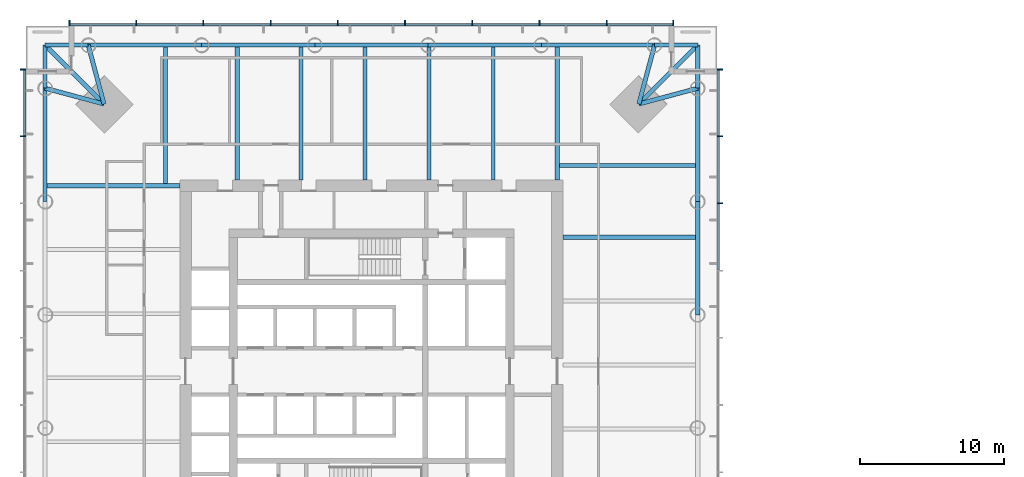
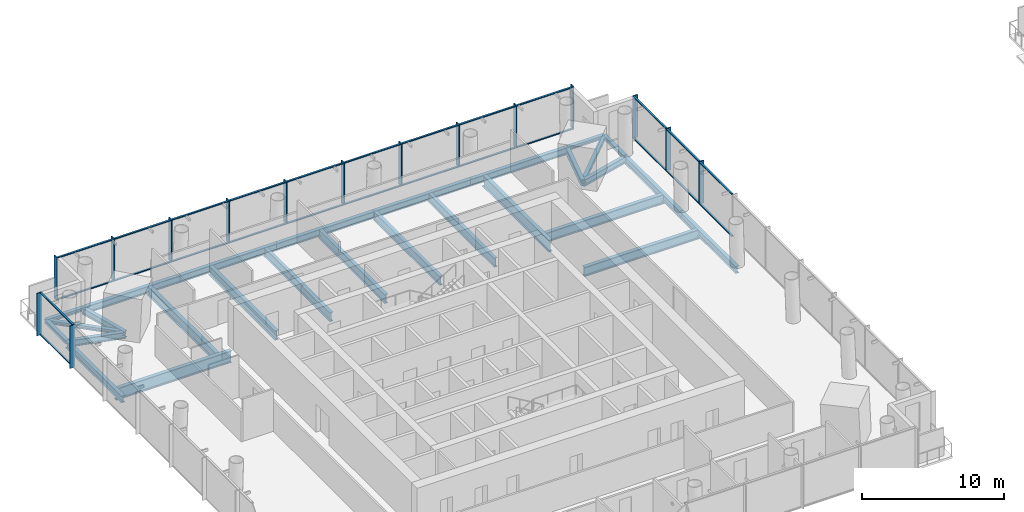
# One storey, part 4 of 22: 41 members, 28 beams, 3 elements without a shape of their own.
"""IFC4 building model written with IfcOpenShell, lengths in metres."""

import ifcopenshell
import ifcopenshell.guid

model = None  # the IFC model being written
_history = None  # IfcOwnerHistory: only IFC2X3 demands one
_inside = {}  # id of a spatial element -> (the spatial element, [elements in it])
_under = {}  # id of a project, library or spatial element -> (it, [spatial elements below it])
_declared = {}  # id of a project -> (the project, [libraries it declares])
_typed = {}  # id of a type object -> (the type object, [elements of that type])
_made_of = {}  # id of a material, layer set ... -> (it, [elements and type objects made of it])


def new_model(schema):
    """Start an empty IFC model of exactly this schema.

    Asked for "IFC4X3", IfcOpenShell would pick the latest addendum, in which some entities
    have other attributes; the version numbers below select the first issue.
    IFC2X3 requires an IfcOwnerHistory on every rooted entity: one is made here for all.
    """
    global model, _history
    if schema == "IFC4X3":
        model = ifcopenshell.file(schema_version=(4, 3, 0, 0))
    else:
        model = ifcopenshell.file(schema=schema)
    _inside.clear()
    _under.clear()
    _declared.clear()
    _typed.clear()
    _made_of.clear()
    _history = None
    if model.schema == "IFC2X3":
        org = make("IfcOrganization", Name="unknown")
        user = make(
            "IfcPersonAndOrganization",
            ThePerson=make("IfcPerson", FamilyName="unknown"),
            TheOrganization=org,
        )
        app = make(
            "IfcApplication",
            ApplicationDeveloper=org,
            Version="unknown",
            ApplicationFullName="unknown",
            ApplicationIdentifier="unknown",
        )
        _history = make(
            "IfcOwnerHistory",
            OwningUser=user,
            OwningApplication=app,
            ChangeAction="ADDED",
            CreationDate=0,
        )
    return model


def make(cls, **values):
    """One entity of the class cls with the attributes given. An attribute that is None is left unset."""
    return model.create_entity(
        cls, **{name: value for name, value in values.items() if value is not None}
    )


def rooted(cls, **values):
    """An entity with a GlobalId (a new one), such as an element, a storey or a relation."""
    return make(cls, GlobalId=ifcopenshell.guid.new(), OwnerHistory=_history, **values)


def si_unit(unit_type, name, prefix=None):
    """IfcSIUnit, for example si_unit("LENGTHUNIT", "METRE", prefix="MILLI")."""
    return make("IfcSIUnit", UnitType=unit_type, Prefix=prefix, Name=name)


def assignment(units):
    """IfcUnitAssignment: the units of a project."""
    return None if units is None else make("IfcUnitAssignment", Units=units)


def point(xyz):
    """IfcCartesianPoint."""
    return None if xyz is None else make("IfcCartesianPoint", Coordinates=xyz)


def direction(xyz):
    """IfcDirection."""
    return None if xyz is None else make("IfcDirection", DirectionRatios=xyz)


def frame(location, z_axis=None, x_axis=None):
    """IfcAxis2Placement3D, a coordinate frame: its origin and axes. An axis left out is left unset."""
    return make(
        "IfcAxis2Placement3D",
        Location=point(location),
        Axis=direction(z_axis),
        RefDirection=direction(x_axis),
    )


def frame_2d(location, x_axis=None):
    """IfcAxis2Placement2D, a coordinate frame in the plane: its origin and x axis."""
    return make(
        "IfcAxis2Placement2D", Location=point(location), RefDirection=direction(x_axis)
    )


def origin():
    """The frame at (0, 0, 0) with its axes left unset."""
    return frame((0.0, 0.0, 0.0))


def origin_2d():
    """The frame at (0, 0) in the plane with its x axis left unset."""
    return frame_2d((0.0, 0.0))


def place(relative_to, where):
    """IfcLocalPlacement: puts the frame where relative to a parent placement (None: the world)."""
    return make(
        "IfcLocalPlacement", PlacementRelTo=relative_to, RelativePlacement=where
    )


def context(
    kind, dimensions, precision=None, world=None, true_north=None, identifier=None
):
    """IfcGeometricRepresentationContext, for example the 3D "Model" context."""
    return make(
        "IfcGeometricRepresentationContext",
        ContextIdentifier=identifier,
        ContextType=kind,
        CoordinateSpaceDimension=dimensions,
        Precision=precision,
        WorldCoordinateSystem=world,
        TrueNorth=true_north,
    )


def subcontext(parent, identifier, kind, view, scale=None):
    """IfcGeometricRepresentationSubContext, for example "Body" below "Model"."""
    return make(
        "IfcGeometricRepresentationSubContext",
        ContextIdentifier=identifier,
        ContextType=kind,
        ParentContext=parent,
        TargetScale=scale,
        TargetView=view,
    )


def project(units=None, contexts=None):
    """IfcProject with its units and contexts."""
    return rooted(
        "IfcProject",
        Name="project",
        RepresentationContexts=contexts,
        UnitsInContext=assignment(units),
    )


def spatial(cls, under=None, at=None, **own):
    """A site, building, storey or space (cls), placed at a placement, below another one or the project."""
    s = rooted(cls, ObjectPlacement=at, **own)
    if under is not None:
        _under.setdefault(under.id(), (under, []))[1].append(s)
    return s


def profile(cls, at=None, kind="AREA", **sizes):
    """A parametric profile (cls). Its sizes go by their IFC names, for example OverallWidth=200.0."""
    return make(cls, ProfileType=kind, Position=at, **sizes)


def rectangle(**sizes):
    """IfcRectangleProfileDef."""
    return profile("IfcRectangleProfileDef", **sizes)


def i_section(**sizes):
    """IfcIShapeProfileDef."""
    return profile("IfcIShapeProfileDef", **sizes)


def extrude(swept, where, along, depth):
    """IfcExtrudedAreaSolid: the profile swept, set in the frame where, extruded along a direction by depth."""
    return make(
        "IfcExtrudedAreaSolid",
        SweptArea=swept,
        Position=where,
        ExtrudedDirection=direction(along),
        Depth=depth,
    )


def shape(context_of_items, identifier, shape_type, items):
    """IfcShapeRepresentation: the items that make up one representation, for example the "Body"."""
    return make(
        "IfcShapeRepresentation",
        ContextOfItems=context_of_items,
        RepresentationIdentifier=identifier,
        RepresentationType=shape_type,
        Items=items,
    )


def material(Name=None, Category=None):
    """IfcMaterial."""
    return make("IfcMaterial", Name=Name, Category=Category)


def material_profile(
    of_material, cross_section, Name=None, Category=None, Priority=None
):
    """IfcMaterialProfile: a cross section and its material."""
    return make(
        "IfcMaterialProfile",
        Name=Name,
        Material=of_material,
        Profile=cross_section,
        Priority=Priority,
        Category=Category,
    )


def profile_set(profiles, Name=None, composite=None):
    """IfcMaterialProfileSet."""
    return make(
        "IfcMaterialProfileSet",
        Name=Name,
        MaterialProfiles=profiles,
        CompositeProfile=composite,
    )


def made_of(thing, what):
    """Note that an element or type object is made of a material, layer set ...; save() writes the relation."""
    if what is not None:
        _made_of.setdefault(what.id(), (what, []))[1].append(thing)
    return thing


def type_object(cls, material=None, **own):
    """A type object (cls), such as IfcWallType, which elements share."""
    return made_of(rooted(cls, **own), material)


def element(
    cls,
    number,
    at=None,
    inside=None,
    cuts=None,
    type_object=None,
    material=None,
    context=None,
    identifier="Body",
    shape_type=None,
    held_by="IfcProductDefinitionShape",
    body=None,
    shapes=None,
    **own,
):
    """One element of the class cls, such as IfcWall. Its Tag is "e" and its number.

    at: its placement. inside: the storey or other place that contains it. cuts: it is an
    opening in that element (IfcRelVoidsElement). A single representation is given by context,
    identifier, shape_type and body (its items); several are given by shapes. held_by: the class
    of the entity that holds the representations. save() writes the other relations.
    """
    e = rooted(cls, Tag="e%d" % number, ObjectPlacement=at, **own)
    if body is not None:
        shapes = [shape(context, identifier, shape_type, body)]
    if shapes is not None:
        e.Representation = make(held_by, Representations=shapes)
    if inside is not None:
        _inside.setdefault(inside.id(), (inside, []))[1].append(e)
    if cuts is not None:
        rooted(
            "IfcRelVoidsElement", RelatingBuildingElement=cuts, RelatedOpeningElement=e
        )
    if type_object is not None:
        _typed.setdefault(type_object.id(), (type_object, []))[1].append(e)
    return made_of(e, material)


def aggregate(whole, parts):
    """IfcRelAggregates: a whole, such as a stair, and the parts it consists of."""
    return rooted("IfcRelAggregates", RelatingObject=whole, RelatedObjects=parts)


def save(model, path):
    """Write the relations noted so far, then the file.

    IfcRelAggregates (storeys below a building ...), IfcRelContainedInSpatialStructure (elements
    in a storey), IfcRelDefinesByType, IfcRelAssociatesMaterial and IfcRelDeclares: one each for
    every whole, place, type object, material and project.
    """
    for whole, parts in _under.values():
        aggregate(whole, parts)
    for where, things in _inside.values():
        rooted(
            "IfcRelContainedInSpatialStructure",
            RelatedElements=things,
            RelatingStructure=where,
        )
    for kind, things in _typed.values():
        rooted("IfcRelDefinesByType", RelatedObjects=things, RelatingType=kind)
    for what, things in _made_of.values():
        rooted("IfcRelAssociatesMaterial", RelatedObjects=things, RelatingMaterial=what)
    for by, libraries in _declared.values():
        rooted("IfcRelDeclares", RelatingContext=by, RelatedDefinitions=libraries)
    model.write(path)


model = new_model("IFC4")

# Units and contexts
model_context = context("Model", 3, precision=1e-05, world=origin(), true_north=direction((0.0, 1.0)))
body_context = subcontext(model_context, "Body", "Model", "MODEL_VIEW")
ifc_project = project(units=[si_unit("LENGTHUNIT", "METRE"), si_unit("AREAUNIT", "SQUARE_METRE"), si_unit("VOLUMEUNIT", "CUBIC_METRE"), si_unit("PLANEANGLEUNIT", "RADIAN"), si_unit("MASSUNIT", "GRAM", prefix="KILO")], contexts=[model_context])

# Site, building, storey
site_placement = place(None, origin())
site = spatial("IfcSite", under=ifc_project, at=site_placement, CompositionType="ELEMENT")
building_placement = place(site_placement, origin())
building = spatial("IfcBuilding", under=site, at=building_placement, Name="Ostroluk Exchange", CompositionType="ELEMENT")
storey_placement = place(building_placement, frame((0.0, 0.0, 62.800048828125)))
storey = spatial("IfcBuildingStorey", under=building, at=storey_placement, Name="L15", CompositionType="ELEMENT", Elevation=62.800048828125)

# Beams
ifc_material_1 = material(Name="Steel S355", Category="steel")
ifc_material_profile_1 = material_profile(ifc_material_1, i_section(OverallWidth=0.300048828125, OverallDepth=0.300048828125, WebThickness=0.010986328125, FlangeThickness=0.01904296875, FilletRadius=0.027099609375, at=origin_2d()), Name="HEB 300")
ifc_profile_set_1 = profile_set([ifc_material_profile_1], Name="Steel S355")
beam_type_1 = type_object("IfcBeamType", Name="Balcony beam HEB 300", PredefinedType="BEAM", material=ifc_profile_set_1)
for number, where, z_axis, x_axis, name in (
    (1, (67.664306640625, 65.664306640625, -0.330078125), (0.0, 1.0, 0.0), (-1.0, 0.0, 0.0), "T1 east balcony beam a"),
    (2, (64.664306640625, 68.664306640625, -0.330078125), (1.0, 0.0, 0.0), (0.0, 1.0, 0.0), "T1 east balcony beam b"),
):
    element("IfcBeam", number, at=place(storey_placement, frame(where, z_axis=z_axis, x_axis=x_axis)), inside=storey, type_object=beam_type_1, Name=name, PredefinedType="BEAM", context=body_context, shape_type="SweptSolid", body=[
        extrude(i_section(OverallWidth=0.300048828125, OverallDepth=0.300048828125, WebThickness=0.010986328125, FlangeThickness=0.01904296875, FilletRadius=0.027099609375, at=origin_2d()), origin(), (0.0, 0.0, 1.0), 3.0),
    ])
beam_1_placement = place(storey_placement, frame((63.564208984375, 64.564208984375, -0.330078125), z_axis=(0.707106781187, 0.707106781187, 0.0), x_axis=(-0.707106781187, 0.707106781187, 0.0)))
element("IfcBeam", 3, at=beam_1_placement, inside=storey, type_object=beam_type_1, Name="T1 east balcony beam c", PredefinedType="BEAM", context=body_context, shape_type="SweptSolid", body=[
    extrude(i_section(OverallWidth=0.300048828125, OverallDepth=0.300048828125, WebThickness=0.010986328125, FlangeThickness=0.01904296875, FilletRadius=0.027099609375, at=origin_2d()), origin(), (0.0, 0.0, 1.0), 5.79833984375),
])
for number, where, z_axis, x_axis, name in (
    (4, (25.335693359375, 68.664306640625, -0.330078125), (-1.0, 0.0, 0.0), (0.0, -1.0, 0.0), "T1 north balcony beam a"),
    (5, (22.335693359375, 65.664306640625, -0.330078125), (0.0, 1.0, 0.0), (-1.0, 0.0, 0.0), "T1 north balcony beam b"),
):
    element("IfcBeam", number, at=place(storey_placement, frame(where, z_axis=z_axis, x_axis=x_axis)), inside=storey, type_object=beam_type_1, Name=name, PredefinedType="BEAM", context=body_context, shape_type="SweptSolid", body=[
        extrude(i_section(OverallWidth=0.300048828125, OverallDepth=0.300048828125, WebThickness=0.010986328125, FlangeThickness=0.01904296875, FilletRadius=0.027099609375, at=origin_2d()), origin(), (0.0, 0.0, 1.0), 3.0),
    ])
beam_2_placement = place(storey_placement, frame((26.435791015625, 64.564208984375, -0.330078125), z_axis=(-0.707106781187, 0.707106781187, 0.0), x_axis=(-0.707106781187, -0.707106781187, 0.0)))
element("IfcBeam", 6, at=beam_2_placement, inside=storey, type_object=beam_type_1, Name="T1 north balcony beam c", PredefinedType="BEAM", context=body_context, shape_type="SweptSolid", body=[
    extrude(i_section(OverallWidth=0.300048828125, OverallDepth=0.300048828125, WebThickness=0.010986328125, FlangeThickness=0.01904296875, FilletRadius=0.027099609375, at=origin_2d()), origin(), (0.0, 0.0, 1.0), 5.79833984375),
])
ifc_material_2 = material(Name="Steel S355", Category="steel")
ifc_material_profile_2 = material_profile(ifc_material_2, i_section(OverallWidth=0.300048828125, OverallDepth=0.550048828125, WebThickness=0.014892578125, FlangeThickness=0.029052734375, FilletRadius=0.027099609375, at=origin_2d()), Name="HEB 550")
ifc_profile_set_2 = profile_set([ifc_material_profile_2], Name="Steel S355")
beam_type_2 = type_object("IfcBeamType", Name="Corner edge beam HEB 550", PredefinedType="SPANDREL", material=ifc_profile_set_2)
for number, where, z_axis, x_axis, name in (
    (7, (63.564208984375, 64.564208984375, -0.455078125), (0.965838624319, 0.259144268261, 0.0), (-0.259144268261, 0.965838624319, 0.0), "T1 east corner edge beam a"),
    (8, (63.564208984375, 64.564208984375, -0.455078125), (0.259144268261, 0.965838624319, 0.0), (-0.965838624319, 0.259144268261, 0.0), "T1 east corner edge beam b"),
    (9, (26.435791015625, 64.564208984375, -0.455078125), (-0.259144268261, 0.965838624319, 0.0), (-0.965838624319, -0.259144268261, 0.0), "T1 north corner edge beam a"),
    (10, (26.435791015625, 64.564208984375, -0.455078125), (-0.965838624319, 0.259144268261, 0.0), (-0.259144268261, -0.965838624319, 0.0), "T1 north corner edge beam b"),
):
    element("IfcBeam", number, at=place(storey_placement, frame(where, z_axis=z_axis, x_axis=x_axis)), inside=storey, type_object=beam_type_2, Name=name, PredefinedType="SPANDREL", context=body_context, shape_type="SweptSolid", body=[
        extrude(i_section(OverallWidth=0.300048828125, OverallDepth=0.550048828125, WebThickness=0.014892578125, FlangeThickness=0.029052734375, FilletRadius=0.027099609375, at=origin_2d()), origin(), (0.0, 0.0, 1.0), 4.2451171875),
    ])
ifc_material_3 = material(Name="Steel S355", Category="steel")
ifc_material_profile_3 = material_profile(ifc_material_3, i_section(OverallWidth=0.302978515625, OverallDepth=0.81396484375, WebThickness=0.02099609375, FlangeThickness=0.0400390625, FilletRadius=0.030029296875, at=origin_2d()), Name="HEM 800")
ifc_profile_set_3 = profile_set([ifc_material_profile_3], Name="Steel S355")
beam_type_3 = type_object("IfcBeamType", Name="Floor beam HEM 800", PredefinedType="BEAM", material=ifc_profile_set_3)
beam_3_placement = place(storey_placement, frame((58.300048828125, 55.32763671875, -0.587158203125), z_axis=(1.0, 0.0, 0.0), x_axis=(0.0, 1.0, 0.0)))
element("IfcBeam", 11, at=beam_3_placement, inside=storey, type_object=beam_type_3, Name="T1 east floor beam 5", PredefinedType="BEAM", context=body_context, shape_type="SweptSolid", body=[
    extrude(i_section(OverallWidth=0.302978515625, OverallDepth=0.81396484375, WebThickness=0.02099609375, FlangeThickness=0.0400390625, FilletRadius=0.030029296875, at=origin_2d()), origin(), (0.0, 0.0, 1.0), 9.3642578125),
])
beam_4_placement = place(storey_placement, frame((57.89990234375, 60.300048828125, -0.587158203125), z_axis=(1.0, 0.0, 0.0), x_axis=(0.0, 1.0, 0.0)))
element("IfcBeam", 12, at=beam_4_placement, inside=storey, type_object=beam_type_3, Name="T1 east floor beam 6", PredefinedType="BEAM", context=body_context, shape_type="SweptSolid", body=[
    extrude(i_section(OverallWidth=0.302978515625, OverallDepth=0.81396484375, WebThickness=0.02099609375, FlangeThickness=0.0400390625, FilletRadius=0.030029296875, at=origin_2d()), origin(), (0.0, 0.0, 1.0), 9.764404296875),
])
beam_5_placement = place(storey_placement, frame((35.67236328125, 59.300048828125, -0.587158203125), z_axis=(0.0, 1.0, 0.0), x_axis=(-1.0, 0.0, 0.0)))
element("IfcBeam", 13, at=beam_5_placement, inside=storey, type_object=beam_type_3, Name="T1 north floor beam 5", PredefinedType="BEAM", context=body_context, shape_type="SweptSolid", body=[
    extrude(i_section(OverallWidth=0.302978515625, OverallDepth=0.81396484375, WebThickness=0.02099609375, FlangeThickness=0.0400390625, FilletRadius=0.030029296875, at=origin_2d()), origin(), (0.0, 0.0, 1.0), 9.3642578125),
])
beam_6_placement = place(storey_placement, frame((30.699951171875, 58.89990234375, -0.587158203125), z_axis=(0.0, 1.0, 0.0), x_axis=(-1.0, 0.0, 0.0)))
element("IfcBeam", 14, at=beam_6_placement, inside=storey, type_object=beam_type_3, Name="T1 north floor beam 6", PredefinedType="BEAM", context=body_context, shape_type="SweptSolid", body=[
    extrude(i_section(OverallWidth=0.302978515625, OverallDepth=0.81396484375, WebThickness=0.02099609375, FlangeThickness=0.0400390625, FilletRadius=0.030029296875, at=origin_2d()), origin(), (0.0, 0.0, 1.0), 9.764404296875),
])
ifc_material_4 = material(Name="Steel S355", Category="steel")
ifc_material_profile_4 = material_profile(ifc_material_4, i_section(OverallWidth=0.26806640625, OverallDepth=0.77001953125, WebThickness=0.015625, FlangeThickness=0.025390625, FilletRadius=0.01708984375, at=origin_2d()), Name="IPE 750x196")
ifc_profile_set_4 = profile_set([ifc_material_profile_4], Name="Steel S355")
beam_type_4 = type_object("IfcBeamType", Name="Floor beam IPE 750x196", PredefinedType="BEAM", material=ifc_profile_set_4)
for number, where, z_axis, x_axis, name in (
    (15, (53.454345703125, 59.300048828125, -0.56494140625), (0.0, 1.0, 0.0), (-1.0, 0.0, 0.0), "T1 north floor beam 1"),
    (16, (49.009033203125, 59.300048828125, -0.56494140625), (0.0, 1.0, 0.0), (-1.0, 0.0, 0.0), "T1 north floor beam 2"),
    (17, (44.5634765625, 59.300048828125, -0.56494140625), (0.0, 1.0, 0.0), (-1.0, 0.0, 0.0), "T1 north floor beam 3"),
    (18, (40.117919921875, 59.300048828125, -0.56494140625), (0.0, 1.0, 0.0), (-1.0, 0.0, 0.0), "T1 north floor beam 4"),
):
    element("IfcBeam", number, at=place(storey_placement, frame(where, z_axis=z_axis, x_axis=x_axis)), inside=storey, type_object=beam_type_4, Name=name, PredefinedType="BEAM", context=body_context, shape_type="SweptSolid", body=[
        extrude(i_section(OverallWidth=0.26806640625, OverallDepth=0.77001953125, WebThickness=0.015625, FlangeThickness=0.025390625, FilletRadius=0.01708984375, at=origin_2d()), origin(), (0.0, 0.0, 1.0), 9.3642578125),
    ])
ifc_material_5 = material(Name="Steel S355", Category="steel")
ifc_material_profile_5 = material_profile(ifc_material_5, i_section(OverallWidth=0.302001953125, OverallDepth=1.008056640625, WebThickness=0.02099609375, FlangeThickness=0.0400390625, FilletRadius=0.030029296875, at=origin_2d()), Name="HEM 1000")
ifc_profile_set_5 = profile_set([ifc_material_profile_5], Name="Steel S355")
beam_type_5 = type_object("IfcBeamType", Name="Girder HEM 1000", PredefinedType="BEAM", material=ifc_profile_set_5)
for number, where, z_axis, x_axis, name in (
    (19, (57.89990234375, 59.300048828125, -0.68408203125), (0.0, 1.0, 0.0), (-1.0, 0.0, 0.0), "T1 east girder"),
    (20, (31.699951171875, 58.89990234375, -0.68408203125), (-1.0, 0.0, 0.0), (0.0, -1.0, 0.0), "T1 north girder"),
):
    element("IfcBeam", number, at=place(storey_placement, frame(where, z_axis=z_axis, x_axis=x_axis)), inside=storey, type_object=beam_type_5, Name=name, PredefinedType="BEAM", context=body_context, shape_type="SweptSolid", body=[
        extrude(i_section(OverallWidth=0.302001953125, OverallDepth=1.008056640625, WebThickness=0.02099609375, FlangeThickness=0.0400390625, FilletRadius=0.030029296875, at=origin_2d()), origin(), (0.0, 0.0, 1.0), 9.3642578125),
    ])
ifc_material_6 = material(Name="Steel S355", Category="steel")
ifc_material_profile_6 = material_profile(ifc_material_6, i_section(OverallWidth=0.300048828125, OverallDepth=0.60009765625, WebThickness=0.015380859375, FlangeThickness=0.030029296875, FilletRadius=0.027099609375, at=origin_2d()), Name="HEB 600")
ifc_profile_set_6 = profile_set([ifc_material_profile_6], Name="Steel S355")
beam_type_6 = type_object("IfcBeamType", Name="Moment-connected edge beam HEB 600", PredefinedType="SPANDREL", material=ifc_profile_set_6)
for number, where, z_axis, x_axis, name in (
    (21, (67.664306640625, 49.932861328125, -0.47998046875), (0.0, 1.0, 0.0), (-1.0, 0.0, 0.0), "T1 east edge beam 4"),
    (22, (67.664306640625, 57.798583984375, -0.47998046875), (0.0, 1.0, 0.0), (-1.0, 0.0, 0.0), "T1 east edge beam 5"),
    (23, (64.664306640625, 68.664306640625, -0.47998046875), (-1.0, 0.0, 0.0), (0.0, -1.0, 0.0), "T1 north edge beam 1"),
    (24, (56.798583984375, 68.664306640625, -0.47998046875), (-1.0, 0.0, 0.0), (0.0, -1.0, 0.0), "T1 north edge beam 2"),
    (25, (48.932861328125, 68.664306640625, -0.47998046875), (-1.0, 0.0, 0.0), (0.0, -1.0, 0.0), "T1 north edge beam 3"),
    (26, (41.067138671875, 68.664306640625, -0.47998046875), (-1.0, 0.0, 0.0), (0.0, -1.0, 0.0), "T1 north edge beam 4"),
    (27, (33.201416015625, 68.664306640625, -0.47998046875), (-1.0, 0.0, 0.0), (0.0, -1.0, 0.0), "T1 north edge beam 5"),
    (28, (22.335693359375, 65.664306640625, -0.47998046875), (0.0, -1.0, 0.0), (1.0, 0.0, 0.0), "T1 west edge beam 1"),
):
    element("IfcBeam", number, at=place(storey_placement, frame(where, z_axis=z_axis, x_axis=x_axis)), inside=storey, type_object=beam_type_6, Name=name, PredefinedType="SPANDREL", context=body_context, shape_type="SweptSolid", body=[
        extrude(i_section(OverallWidth=0.300048828125, OverallDepth=0.60009765625, WebThickness=0.015380859375, FlangeThickness=0.030029296875, FilletRadius=0.027099609375, at=origin_2d()), origin(), (0.0, 0.0, 1.0), 7.86572265625),
    ])

# Curtain wall, members
ifc_material_7 = material(Name="Laminated clear glass", Category="glass")
curtain_wall_type = type_object("IfcCurtainWallType", Name="Office tower facade", PredefinedType="USERDEFINED", material=ifc_material_7)
curtain_wall_1_placement = place(storey_placement, origin())
curtain_wall_1 = element("IfcCurtainWall", 29, at=curtain_wall_1_placement, inside=storey, type_object=curtain_wall_type, Name="Office tower east facade L15", ObjectType="UNITISED CURTAIN WALL", PredefinedType="USERDEFINED")
ifc_material_8 = material(Name="Aluminium mullion", Category="aluminium")
ifc_material_profile_7 = material_profile(ifc_material_8, rectangle(XDim=0.14990234375, YDim=0.080078125, at=origin_2d()), Name="Sill transom 80 x 150")
ifc_profile_set_7 = profile_set([ifc_material_profile_7], Name="Aluminium mullion")
member_type_1 = type_object("IfcMemberType", Name="Sill transom 80 x 150", PredefinedType="USERDEFINED", material=ifc_profile_set_7)
member_1_placement = place(storey_placement, frame((69.074951171875, 53.0400390625, 0.0400390625), z_axis=(0.0, 1.0, 0.0), x_axis=(-1.0, 0.0, 0.0)))
member_1 = element("IfcMember", 30, at=member_1_placement, type_object=member_type_1, Name="CW-O1 transom 7.1", ObjectType="TRANSOM", PredefinedType="USERDEFINED", context=body_context, shape_type="SweptSolid", body=[
    extrude(rectangle(XDim=0.14990234375, YDim=0.080078125, at=origin_2d()), origin(), (0.0, 0.0, 1.0), 4.586669921875),
])
member_2_placement = place(storey_placement, frame((69.074951171875, 53.0400390625, 3.60986328125), z_axis=(0.0, 1.0, 0.0), x_axis=(-1.0, 0.0, 0.0)))
member_2 = element("IfcMember", 31, at=member_2_placement, type_object=member_type_1, Name="CW-O1 transom 7.2", ObjectType="TRANSOM", PredefinedType="USERDEFINED", context=body_context, shape_type="SweptSolid", body=[
    extrude(rectangle(XDim=0.14990234375, YDim=0.080078125, at=origin_2d()), origin(), (0.0, 0.0, 1.0), 4.586669921875),
])
member_3_placement = place(storey_placement, frame((69.074951171875, 57.706787109375, 0.0400390625), z_axis=(0.0, 1.0, 0.0), x_axis=(-1.0, 0.0, 0.0)))
member_3 = element("IfcMember", 32, at=member_3_placement, type_object=member_type_1, Name="CW-O1 transom 8.1", ObjectType="TRANSOM", PredefinedType="USERDEFINED", context=body_context, shape_type="SweptSolid", body=[
    extrude(rectangle(XDim=0.14990234375, YDim=0.080078125, at=origin_2d()), origin(), (0.0, 0.0, 1.0), 4.58642578125),
])
member_4_placement = place(storey_placement, frame((69.074951171875, 57.706787109375, 3.60986328125), z_axis=(0.0, 1.0, 0.0), x_axis=(-1.0, 0.0, 0.0)))
member_4 = element("IfcMember", 33, at=member_4_placement, type_object=member_type_1, Name="CW-O1 transom 8.2", ObjectType="TRANSOM", PredefinedType="USERDEFINED", context=body_context, shape_type="SweptSolid", body=[
    extrude(rectangle(XDim=0.14990234375, YDim=0.080078125, at=origin_2d()), origin(), (0.0, 0.0, 1.0), 4.58642578125),
])
member_5_placement = place(storey_placement, frame((69.074951171875, 62.373291015625, 0.0400390625), z_axis=(0.0, 1.0, 0.0), x_axis=(-1.0, 0.0, 0.0)))
member_5 = element("IfcMember", 34, at=member_5_placement, type_object=member_type_1, Name="CW-O1 transom 9.1", ObjectType="TRANSOM", PredefinedType="USERDEFINED", context=body_context, shape_type="SweptSolid", body=[
    extrude(rectangle(XDim=0.14990234375, YDim=0.080078125, at=origin_2d()), origin(), (0.0, 0.0, 1.0), 4.546630859375),
])
member_6_placement = place(storey_placement, frame((69.074951171875, 62.373291015625, 3.60986328125), z_axis=(0.0, 1.0, 0.0), x_axis=(-1.0, 0.0, 0.0)))
member_6 = element("IfcMember", 35, at=member_6_placement, type_object=member_type_1, Name="CW-O1 transom 9.2", ObjectType="TRANSOM", PredefinedType="USERDEFINED", context=body_context, shape_type="SweptSolid", body=[
    extrude(rectangle(XDim=0.14990234375, YDim=0.080078125, at=origin_2d()), origin(), (0.0, 0.0, 1.0), 4.546630859375),
])

curtain_wall_2_placement = place(storey_placement, origin())
curtain_wall_2 = element("IfcCurtainWall", 36, at=curtain_wall_2_placement, inside=storey, type_object=curtain_wall_type, Name="Office tower north facade L15", ObjectType="UNITISED CURTAIN WALL", PredefinedType="USERDEFINED")
member_7_placement = place(storey_placement, frame((65.919921875, 70.074951171875, 0.0400390625), z_axis=(-1.0, 0.0, 0.0), x_axis=(0.0, -1.0, 0.0)))
member_7 = element("IfcMember", 37, at=member_7_placement, type_object=member_type_1, Name="CW-O1 transom 1.1", ObjectType="TRANSOM", PredefinedType="USERDEFINED", context=body_context, shape_type="SweptSolid", body=[
    extrude(rectangle(XDim=0.14990234375, YDim=0.080078125, at=origin_2d()), origin(), (0.0, 0.0, 1.0), 4.546630859375),
])
member_8_placement = place(storey_placement, frame((65.919921875, 70.074951171875, 3.60986328125), z_axis=(-1.0, 0.0, 0.0), x_axis=(0.0, -1.0, 0.0)))
member_8 = element("IfcMember", 38, at=member_8_placement, type_object=member_type_1, Name="CW-O1 transom 1.2", ObjectType="TRANSOM", PredefinedType="USERDEFINED", context=body_context, shape_type="SweptSolid", body=[
    extrude(rectangle(XDim=0.14990234375, YDim=0.080078125, at=origin_2d()), origin(), (0.0, 0.0, 1.0), 4.546630859375),
])
member_9_placement = place(storey_placement, frame((61.293212890625, 70.074951171875, 0.0400390625), z_axis=(-1.0, 0.0, 0.0), x_axis=(0.0, -1.0, 0.0)))
member_9 = element("IfcMember", 39, at=member_9_placement, type_object=member_type_1, Name="CW-O1 transom 2.1", ObjectType="TRANSOM", PredefinedType="USERDEFINED", context=body_context, shape_type="SweptSolid", body=[
    extrude(rectangle(XDim=0.14990234375, YDim=0.080078125, at=origin_2d()), origin(), (0.0, 0.0, 1.0), 4.58642578125),
])
member_10_placement = place(storey_placement, frame((61.293212890625, 70.074951171875, 3.60986328125), z_axis=(-1.0, 0.0, 0.0), x_axis=(0.0, -1.0, 0.0)))
member_10 = element("IfcMember", 40, at=member_10_placement, type_object=member_type_1, Name="CW-O1 transom 2.2", ObjectType="TRANSOM", PredefinedType="USERDEFINED", context=body_context, shape_type="SweptSolid", body=[
    extrude(rectangle(XDim=0.14990234375, YDim=0.080078125, at=origin_2d()), origin(), (0.0, 0.0, 1.0), 4.58642578125),
])
member_11_placement = place(storey_placement, frame((56.626708984375, 70.074951171875, 0.0400390625), z_axis=(-1.0, 0.0, 0.0), x_axis=(0.0, -1.0, 0.0)))
member_11 = element("IfcMember", 41, at=member_11_placement, type_object=member_type_1, Name="CW-O1 transom 3.1", ObjectType="TRANSOM", PredefinedType="USERDEFINED", context=body_context, shape_type="SweptSolid", body=[
    extrude(rectangle(XDim=0.14990234375, YDim=0.080078125, at=origin_2d()), origin(), (0.0, 0.0, 1.0), 4.586669921875),
])
member_12_placement = place(storey_placement, frame((56.626708984375, 70.074951171875, 3.60986328125), z_axis=(-1.0, 0.0, 0.0), x_axis=(0.0, -1.0, 0.0)))
member_12 = element("IfcMember", 42, at=member_12_placement, type_object=member_type_1, Name="CW-O1 transom 3.2", ObjectType="TRANSOM", PredefinedType="USERDEFINED", context=body_context, shape_type="SweptSolid", body=[
    extrude(rectangle(XDim=0.14990234375, YDim=0.080078125, at=origin_2d()), origin(), (0.0, 0.0, 1.0), 4.586669921875),
])
member_13_placement = place(storey_placement, frame((51.9599609375, 70.074951171875, 0.0400390625), z_axis=(-1.0, 0.0, 0.0), x_axis=(0.0, -1.0, 0.0)))
member_13 = element("IfcMember", 43, at=member_13_placement, type_object=member_type_1, Name="CW-O1 transom 4.1", ObjectType="TRANSOM", PredefinedType="USERDEFINED", context=body_context, shape_type="SweptSolid", body=[
    extrude(rectangle(XDim=0.14990234375, YDim=0.080078125, at=origin_2d()), origin(), (0.0, 0.0, 1.0), 4.586669921875),
])
member_14_placement = place(storey_placement, frame((51.9599609375, 70.074951171875, 3.60986328125), z_axis=(-1.0, 0.0, 0.0), x_axis=(0.0, -1.0, 0.0)))
member_14 = element("IfcMember", 44, at=member_14_placement, type_object=member_type_1, Name="CW-O1 transom 4.2", ObjectType="TRANSOM", PredefinedType="USERDEFINED", context=body_context, shape_type="SweptSolid", body=[
    extrude(rectangle(XDim=0.14990234375, YDim=0.080078125, at=origin_2d()), origin(), (0.0, 0.0, 1.0), 4.586669921875),
])
member_15_placement = place(storey_placement, frame((47.293212890625, 70.074951171875, 0.0400390625), z_axis=(-1.0, 0.0, 0.0), x_axis=(0.0, -1.0, 0.0)))
member_15 = element("IfcMember", 45, at=member_15_placement, type_object=member_type_1, Name="CW-O1 transom 5.1", ObjectType="TRANSOM", PredefinedType="USERDEFINED", context=body_context, shape_type="SweptSolid", body=[
    extrude(rectangle(XDim=0.14990234375, YDim=0.080078125, at=origin_2d()), origin(), (0.0, 0.0, 1.0), 4.58642578125),
])
member_16_placement = place(storey_placement, frame((47.293212890625, 70.074951171875, 3.60986328125), z_axis=(-1.0, 0.0, 0.0), x_axis=(0.0, -1.0, 0.0)))
member_16 = element("IfcMember", 46, at=member_16_placement, type_object=member_type_1, Name="CW-O1 transom 5.2", ObjectType="TRANSOM", PredefinedType="USERDEFINED", context=body_context, shape_type="SweptSolid", body=[
    extrude(rectangle(XDim=0.14990234375, YDim=0.080078125, at=origin_2d()), origin(), (0.0, 0.0, 1.0), 4.58642578125),
])
member_17_placement = place(storey_placement, frame((42.626708984375, 70.074951171875, 0.0400390625), z_axis=(-1.0, 0.0, 0.0), x_axis=(0.0, -1.0, 0.0)))
member_17 = element("IfcMember", 47, at=member_17_placement, type_object=member_type_1, Name="CW-O1 transom 6.1", ObjectType="TRANSOM", PredefinedType="USERDEFINED", context=body_context, shape_type="SweptSolid", body=[
    extrude(rectangle(XDim=0.14990234375, YDim=0.080078125, at=origin_2d()), origin(), (0.0, 0.0, 1.0), 4.586669921875),
])
member_18_placement = place(storey_placement, frame((42.626708984375, 70.074951171875, 3.60986328125), z_axis=(-1.0, 0.0, 0.0), x_axis=(0.0, -1.0, 0.0)))
member_18 = element("IfcMember", 48, at=member_18_placement, type_object=member_type_1, Name="CW-O1 transom 6.2", ObjectType="TRANSOM", PredefinedType="USERDEFINED", context=body_context, shape_type="SweptSolid", body=[
    extrude(rectangle(XDim=0.14990234375, YDim=0.080078125, at=origin_2d()), origin(), (0.0, 0.0, 1.0), 4.586669921875),
])
member_19_placement = place(storey_placement, frame((37.9599609375, 70.074951171875, 0.0400390625), z_axis=(-1.0, 0.0, 0.0), x_axis=(0.0, -1.0, 0.0)))
member_19 = element("IfcMember", 49, at=member_19_placement, type_object=member_type_1, Name="CW-O1 transom 7.1", ObjectType="TRANSOM", PredefinedType="USERDEFINED", context=body_context, shape_type="SweptSolid", body=[
    extrude(rectangle(XDim=0.14990234375, YDim=0.080078125, at=origin_2d()), origin(), (0.0, 0.0, 1.0), 4.586669921875),
])
member_20_placement = place(storey_placement, frame((37.9599609375, 70.074951171875, 3.60986328125), z_axis=(-1.0, 0.0, 0.0), x_axis=(0.0, -1.0, 0.0)))
member_20 = element("IfcMember", 50, at=member_20_placement, type_object=member_type_1, Name="CW-O1 transom 7.2", ObjectType="TRANSOM", PredefinedType="USERDEFINED", context=body_context, shape_type="SweptSolid", body=[
    extrude(rectangle(XDim=0.14990234375, YDim=0.080078125, at=origin_2d()), origin(), (0.0, 0.0, 1.0), 4.586669921875),
])
member_21_placement = place(storey_placement, frame((33.293212890625, 70.074951171875, 0.0400390625), z_axis=(-1.0, 0.0, 0.0), x_axis=(0.0, -1.0, 0.0)))
member_21 = element("IfcMember", 51, at=member_21_placement, type_object=member_type_1, Name="CW-O1 transom 8.1", ObjectType="TRANSOM", PredefinedType="USERDEFINED", context=body_context, shape_type="SweptSolid", body=[
    extrude(rectangle(XDim=0.14990234375, YDim=0.080078125, at=origin_2d()), origin(), (0.0, 0.0, 1.0), 4.58642578125),
])
member_22_placement = place(storey_placement, frame((33.293212890625, 70.074951171875, 3.60986328125), z_axis=(-1.0, 0.0, 0.0), x_axis=(0.0, -1.0, 0.0)))
member_22 = element("IfcMember", 52, at=member_22_placement, type_object=member_type_1, Name="CW-O1 transom 8.2", ObjectType="TRANSOM", PredefinedType="USERDEFINED", context=body_context, shape_type="SweptSolid", body=[
    extrude(rectangle(XDim=0.14990234375, YDim=0.080078125, at=origin_2d()), origin(), (0.0, 0.0, 1.0), 4.58642578125),
])
member_23_placement = place(storey_placement, frame((28.626708984375, 70.074951171875, 0.0400390625), z_axis=(-1.0, 0.0, 0.0), x_axis=(0.0, -1.0, 0.0)))
member_23 = element("IfcMember", 53, at=member_23_placement, type_object=member_type_1, Name="CW-O1 transom 9.1", ObjectType="TRANSOM", PredefinedType="USERDEFINED", context=body_context, shape_type="SweptSolid", body=[
    extrude(rectangle(XDim=0.14990234375, YDim=0.080078125, at=origin_2d()), origin(), (0.0, 0.0, 1.0), 4.546630859375),
])
member_24_placement = place(storey_placement, frame((28.626708984375, 70.074951171875, 3.60986328125), z_axis=(-1.0, 0.0, 0.0), x_axis=(0.0, -1.0, 0.0)))
member_24 = element("IfcMember", 54, at=member_24_placement, type_object=member_type_1, Name="CW-O1 transom 9.2", ObjectType="TRANSOM", PredefinedType="USERDEFINED", context=body_context, shape_type="SweptSolid", body=[
    extrude(rectangle(XDim=0.14990234375, YDim=0.080078125, at=origin_2d()), origin(), (0.0, 0.0, 1.0), 4.546630859375),
])

curtain_wall_3_placement = place(storey_placement, origin())
curtain_wall_3 = element("IfcCurtainWall", 55, at=curtain_wall_3_placement, inside=storey, type_object=curtain_wall_type, Name="Office tower west facade L15", ObjectType="UNITISED CURTAIN WALL", PredefinedType="USERDEFINED")
member_25_placement = place(storey_placement, frame((20.925048828125, 66.919921875, 0.0400390625), z_axis=(0.0, -1.0, 0.0), x_axis=(1.0, 0.0, 0.0)))
member_25 = element("IfcMember", 56, at=member_25_placement, type_object=member_type_1, Name="CW-O1 transom 1.1", ObjectType="TRANSOM", PredefinedType="USERDEFINED", context=body_context, shape_type="SweptSolid", body=[
    extrude(rectangle(XDim=0.14990234375, YDim=0.080078125, at=origin_2d()), origin(), (0.0, 0.0, 1.0), 4.546630859375),
])
member_26_placement = place(storey_placement, frame((20.925048828125, 66.919921875, 3.60986328125), z_axis=(0.0, -1.0, 0.0), x_axis=(1.0, 0.0, 0.0)))
member_26 = element("IfcMember", 57, at=member_26_placement, type_object=member_type_1, Name="CW-O1 transom 1.2", ObjectType="TRANSOM", PredefinedType="USERDEFINED", context=body_context, shape_type="SweptSolid", body=[
    extrude(rectangle(XDim=0.14990234375, YDim=0.080078125, at=origin_2d()), origin(), (0.0, 0.0, 1.0), 4.546630859375),
])

# Member
ifc_material_9 = material(Name="Aluminium mullion with limestone facing", Category="masonry")
ifc_material_profile_8 = material_profile(ifc_material_9, rectangle(XDim=0.39990234375, YDim=0.080078125, at=origin_2d()), Name="Tracery mullion 80 x 400")
ifc_profile_set_8 = profile_set([ifc_material_profile_8], Name="Aluminium mullion with limestone facing")
member_type_2 = type_object("IfcMemberType", Name="Tracery mullion 80 x 400", PredefinedType="MULLION", material=ifc_profile_set_8)
member_27_placement = place(storey_placement, frame((69.199951171875, 57.666748046875, 0.0), z_axis=(0.0, 0.0, 1.0), x_axis=(-1.0, 0.0, 0.0)))
member_27 = element("IfcMember", 58, at=member_27_placement, type_object=member_type_2, Name="CW-O1 mullion 8", PredefinedType="MULLION", context=body_context, shape_type="SweptSolid", body=[
    extrude(rectangle(XDim=0.39990234375, YDim=0.080078125, at=origin_2d()), origin(), (0.0, 0.0, 1.0), 3.64990234375),
])

member_28_placement = place(storey_placement, frame((69.199951171875, 62.333251953125, 0.0), z_axis=(0.0, 0.0, 1.0), x_axis=(-1.0, 0.0, 0.0)))
member_28 = element("IfcMember", 59, at=member_28_placement, type_object=member_type_2, Name="CW-O1 mullion 9", PredefinedType="MULLION", context=body_context, shape_type="SweptSolid", body=[
    extrude(rectangle(XDim=0.39990234375, YDim=0.080078125, at=origin_2d()), origin(), (0.0, 0.0, 1.0), 3.64990234375),
])

member_29_placement = place(storey_placement, frame((69.199951171875, 66.9599609375, 0.0), z_axis=(0.0, 0.0, 1.0), x_axis=(-1.0, 0.0, 0.0)))
member_29 = element("IfcMember", 60, at=member_29_placement, type_object=member_type_2, Name="CW-O1 mullion 10", PredefinedType="MULLION", context=body_context, shape_type="SweptSolid", body=[
    extrude(rectangle(XDim=0.39990234375, YDim=0.080078125, at=origin_2d()), origin(), (0.0, 0.0, 1.0), 3.64990234375),
])

aggregate(curtain_wall_1, [member_27, member_28, member_29, member_1, member_2, member_3, member_4, member_5, member_6])

member_30_placement = place(storey_placement, frame((65.9599609375, 70.199951171875, 0.0), z_axis=(0.0, 0.0, 1.0), x_axis=(0.0, -1.0, 0.0)))
member_30 = element("IfcMember", 61, at=member_30_placement, type_object=member_type_2, Name="CW-O1 mullion 1", PredefinedType="MULLION", context=body_context, shape_type="SweptSolid", body=[
    extrude(rectangle(XDim=0.39990234375, YDim=0.080078125, at=origin_2d()), origin(), (0.0, 0.0, 1.0), 3.64990234375),
])

member_31_placement = place(storey_placement, frame((61.333251953125, 70.199951171875, 0.0), z_axis=(0.0, 0.0, 1.0), x_axis=(0.0, -1.0, 0.0)))
member_31 = element("IfcMember", 62, at=member_31_placement, type_object=member_type_2, Name="CW-O1 mullion 2", PredefinedType="MULLION", context=body_context, shape_type="SweptSolid", body=[
    extrude(rectangle(XDim=0.39990234375, YDim=0.080078125, at=origin_2d()), origin(), (0.0, 0.0, 1.0), 3.64990234375),
])

member_32_placement = place(storey_placement, frame((56.666748046875, 70.199951171875, 0.0), z_axis=(0.0, 0.0, 1.0), x_axis=(0.0, -1.0, 0.0)))
member_32 = element("IfcMember", 63, at=member_32_placement, type_object=member_type_2, Name="CW-O1 mullion 3", PredefinedType="MULLION", context=body_context, shape_type="SweptSolid", body=[
    extrude(rectangle(XDim=0.39990234375, YDim=0.080078125, at=origin_2d()), origin(), (0.0, 0.0, 1.0), 3.64990234375),
])

member_33_placement = place(storey_placement, frame((52.0, 70.199951171875, 0.0), z_axis=(0.0, 0.0, 1.0), x_axis=(0.0, -1.0, 0.0)))
member_33 = element("IfcMember", 64, at=member_33_placement, type_object=member_type_2, Name="CW-O1 mullion 4", PredefinedType="MULLION", context=body_context, shape_type="SweptSolid", body=[
    extrude(rectangle(XDim=0.39990234375, YDim=0.080078125, at=origin_2d()), origin(), (0.0, 0.0, 1.0), 3.64990234375),
])

member_34_placement = place(storey_placement, frame((47.333251953125, 70.199951171875, 0.0), z_axis=(0.0, 0.0, 1.0), x_axis=(0.0, -1.0, 0.0)))
member_34 = element("IfcMember", 65, at=member_34_placement, type_object=member_type_2, Name="CW-O1 mullion 5", PredefinedType="MULLION", context=body_context, shape_type="SweptSolid", body=[
    extrude(rectangle(XDim=0.39990234375, YDim=0.080078125, at=origin_2d()), origin(), (0.0, 0.0, 1.0), 3.64990234375),
])

member_35_placement = place(storey_placement, frame((42.666748046875, 70.199951171875, 0.0), z_axis=(0.0, 0.0, 1.0), x_axis=(0.0, -1.0, 0.0)))
member_35 = element("IfcMember", 66, at=member_35_placement, type_object=member_type_2, Name="CW-O1 mullion 6", PredefinedType="MULLION", context=body_context, shape_type="SweptSolid", body=[
    extrude(rectangle(XDim=0.39990234375, YDim=0.080078125, at=origin_2d()), origin(), (0.0, 0.0, 1.0), 3.64990234375),
])

member_36_placement = place(storey_placement, frame((38.0, 70.199951171875, 0.0), z_axis=(0.0, 0.0, 1.0), x_axis=(0.0, -1.0, 0.0)))
member_36 = element("IfcMember", 67, at=member_36_placement, type_object=member_type_2, Name="CW-O1 mullion 7", PredefinedType="MULLION", context=body_context, shape_type="SweptSolid", body=[
    extrude(rectangle(XDim=0.39990234375, YDim=0.080078125, at=origin_2d()), origin(), (0.0, 0.0, 1.0), 3.64990234375),
])

member_37_placement = place(storey_placement, frame((33.333251953125, 70.199951171875, 0.0), z_axis=(0.0, 0.0, 1.0), x_axis=(0.0, -1.0, 0.0)))
member_37 = element("IfcMember", 68, at=member_37_placement, type_object=member_type_2, Name="CW-O1 mullion 8", PredefinedType="MULLION", context=body_context, shape_type="SweptSolid", body=[
    extrude(rectangle(XDim=0.39990234375, YDim=0.080078125, at=origin_2d()), origin(), (0.0, 0.0, 1.0), 3.64990234375),
])

member_38_placement = place(storey_placement, frame((28.666748046875, 70.199951171875, 0.0), z_axis=(0.0, 0.0, 1.0), x_axis=(0.0, -1.0, 0.0)))
member_38 = element("IfcMember", 69, at=member_38_placement, type_object=member_type_2, Name="CW-O1 mullion 9", PredefinedType="MULLION", context=body_context, shape_type="SweptSolid", body=[
    extrude(rectangle(XDim=0.39990234375, YDim=0.080078125, at=origin_2d()), origin(), (0.0, 0.0, 1.0), 3.64990234375),
])

member_39_placement = place(storey_placement, frame((24.0400390625, 70.199951171875, 0.0), z_axis=(0.0, 0.0, 1.0), x_axis=(0.0, -1.0, 0.0)))
member_39 = element("IfcMember", 70, at=member_39_placement, type_object=member_type_2, Name="CW-O1 mullion 10", PredefinedType="MULLION", context=body_context, shape_type="SweptSolid", body=[
    extrude(rectangle(XDim=0.39990234375, YDim=0.080078125, at=origin_2d()), origin(), (0.0, 0.0, 1.0), 3.64990234375),
])

aggregate(curtain_wall_2, [member_30, member_31, member_32, member_33, member_34, member_35, member_36, member_37, member_38, member_39, member_7, member_8, member_9, member_10, member_11, member_12, member_13, member_14, member_15, member_16, member_17, member_18, member_19, member_20, member_21, member_22, member_23, member_24])

member_40_placement = place(storey_placement, frame((20.800048828125, 66.9599609375, 0.0), z_axis=(0.0, 0.0, 1.0), x_axis=(1.0, 0.0, 0.0)))
member_40 = element("IfcMember", 71, at=member_40_placement, type_object=member_type_2, Name="CW-O1 mullion 1", PredefinedType="MULLION", context=body_context, shape_type="SweptSolid", body=[
    extrude(rectangle(XDim=0.39990234375, YDim=0.080078125, at=origin_2d()), origin(), (0.0, 0.0, 1.0), 3.64990234375),
])

member_41_placement = place(storey_placement, frame((20.800048828125, 62.333251953125, 0.0), z_axis=(0.0, 0.0, 1.0), x_axis=(1.0, 0.0, 0.0)))
member_41 = element("IfcMember", 72, at=member_41_placement, type_object=member_type_2, Name="CW-O1 mullion 2", PredefinedType="MULLION", context=body_context, shape_type="SweptSolid", body=[
    extrude(rectangle(XDim=0.39990234375, YDim=0.080078125, at=origin_2d()), origin(), (0.0, 0.0, 1.0), 3.64990234375),
])

aggregate(curtain_wall_3, [member_40, member_41, member_25, member_26])

save(model, "model.ifc")
